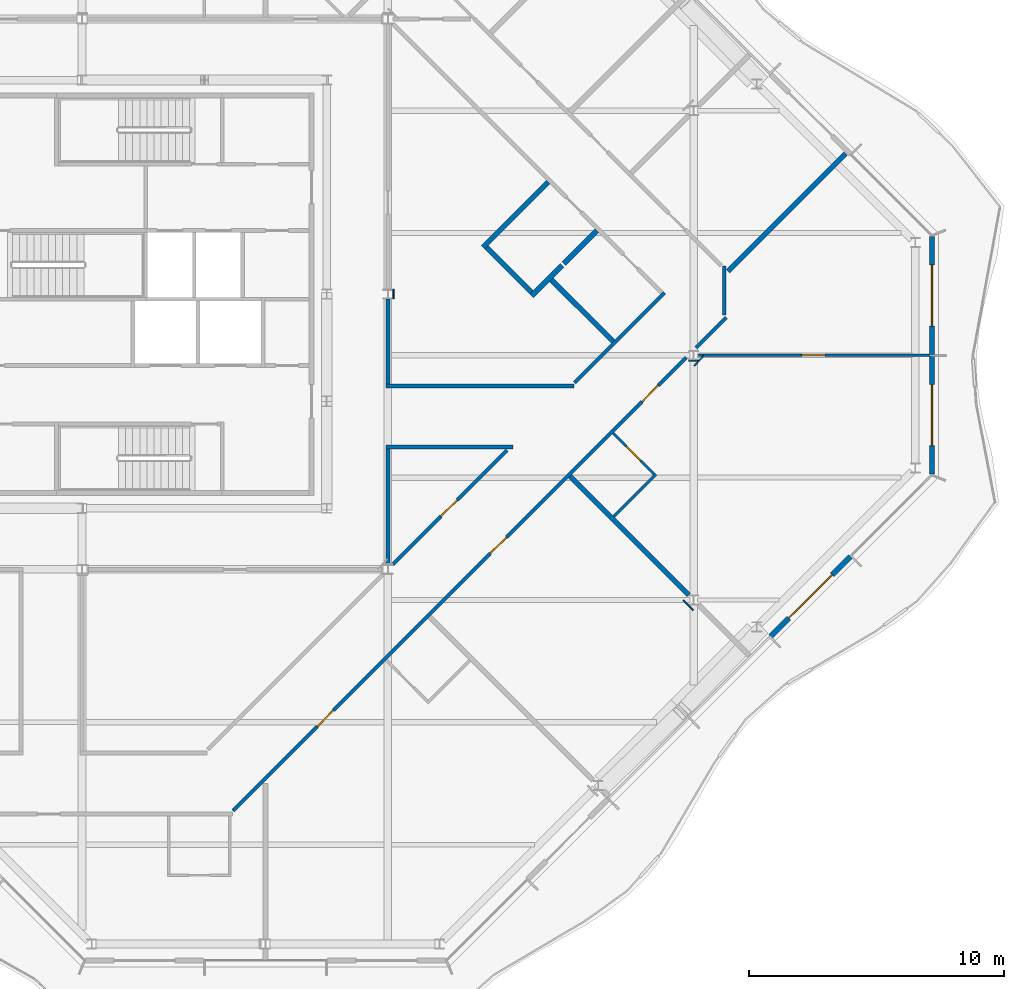
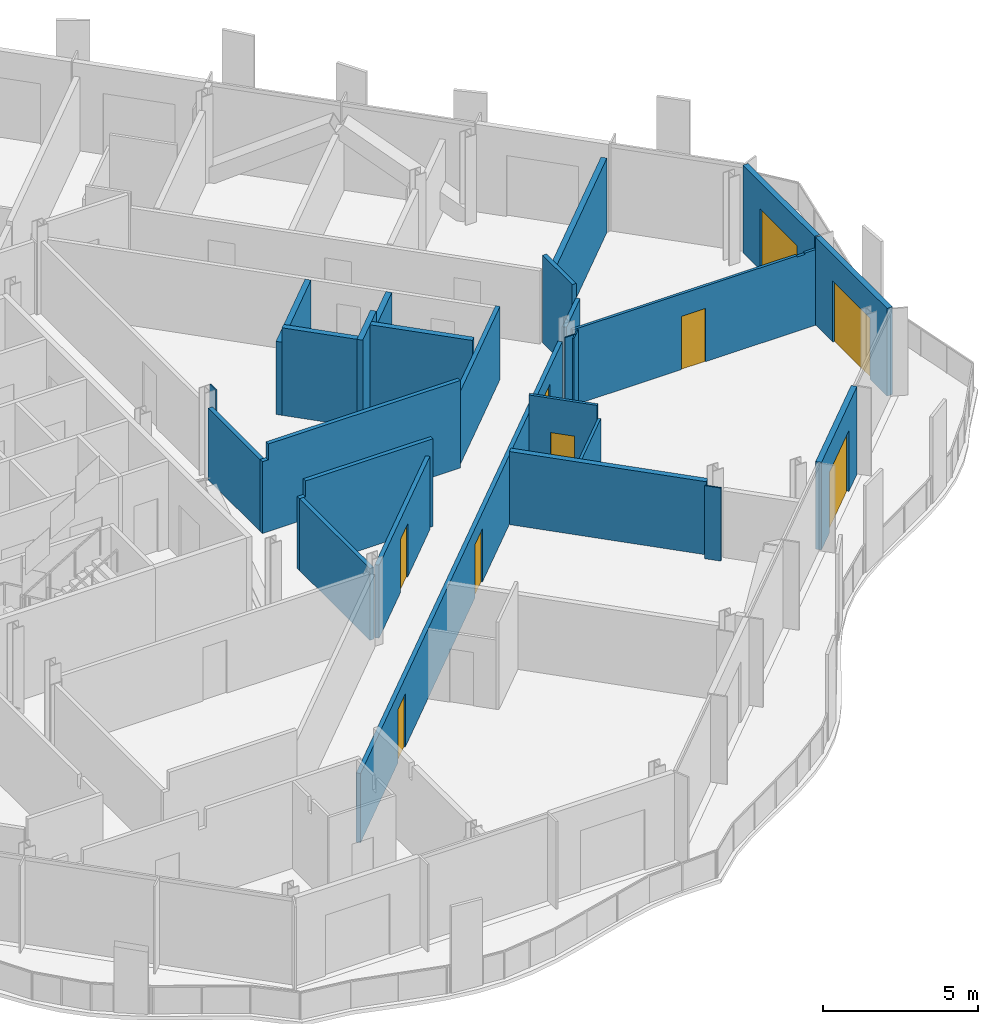
# One storey, part 9 of 16: 26 walls, 9 doors, 9 openings.
"""IFC4 building model written with IfcOpenShell, lengths in metres."""

from ifc_helpers import new_model, si_unit, direction, frame, frame_2d, origin, place, context, subcontext, project, spatial, polyline, rectangle, outline, extrude, material, layer, layer_set, type_object, element, fill, save


model = new_model("IFC4")

# Units and contexts
model_context = context("Model", 3, precision=1e-05, world=origin(), true_north=direction((0.0, 1.0)))
body_context = subcontext(model_context, "Body", "Model", "MODEL_VIEW")
ifc_project = project(units=[si_unit("LENGTHUNIT", "METRE"), si_unit("AREAUNIT", "SQUARE_METRE"), si_unit("VOLUMEUNIT", "CUBIC_METRE"), si_unit("PLANEANGLEUNIT", "RADIAN"), si_unit("MASSUNIT", "GRAM", prefix="KILO")], contexts=[model_context])

# Site, building, storey
site_placement = place(None, origin())
site = spatial("IfcSite", under=ifc_project, at=site_placement, CompositionType="ELEMENT")
building_placement = place(site_placement, origin())
building = spatial("IfcBuilding", under=site, at=building_placement, Name="Cairn Pilgrim Tower", CompositionType="ELEMENT")
storey_placement = place(building_placement, frame((0.0, 0.0, 277.800048828125)))
storey = spatial("IfcBuildingStorey", under=building, at=storey_placement, Name="L71", CompositionType="ELEMENT", Elevation=277.800048828125)

# Wall, opening, door
ifc_material_1 = material(Name="Bronze anodised aluminium insulated sandwich panel with mineral wool fill", Category="aluminium")
ifc_layer_1 = layer(ifc_material_1, 0.199951171875)
ifc_layer_set_1 = layer_set([ifc_layer_1], Name="BRONZE INFILL FRAME WALL 200")
wall_type_1 = type_object("IfcWallType", Name="BRONZE INFILL FRAME WALL 200", PredefinedType="NOTDEFINED", material=ifc_layer_set_1)
wall_1_placement = place(storey_placement, frame((34.219970703125, -11.0263671875, 0.0), z_axis=(0.0, 0.0, 1.0), x_axis=(0.707134329907, 0.707079231393, 0.0)))
wall_1 = element("IfcWall", 1, at=wall_1_placement, inside=storey, type_object=wall_type_1, Name="Bronze infill frame wall IW-SE5", PredefinedType="NOTDEFINED", context=body_context, shape_type="SweptSolid", body=[
    extrude(rectangle(XDim=4.430908203125, YDim=0.199951171875, at=frame_2d((2.21533203125, 0.0))), origin(), (0.0, 0.0, 1.0), 3.449951171875),
])
opening_1_placement = place(wall_1_placement, frame((1.01513671875, 0.0, 0.0)))
opening_1 = element("IfcOpeningElement", 2, at=opening_1_placement, cuts=wall_1, Name="Opening 7103B", PredefinedType="OPENING", context=body_context, shape_type="SweptSolid", body=[
    extrude(rectangle(XDim=2.39990234375, YDim=2.39990234375, at=frame_2d((1.199951171875, 1.199951171875))), frame((0.0, 0.10986328125, 0.0), z_axis=(0.0, -1.0, 0.0), x_axis=(1.0, 0.0, 0.0)), (0.0, 0.0, 1.0), 0.219970703125),
])
ifc_material_2 = material(Name="Bronze anodised aluminium frame with tinted low-E glass", Category="aluminium")
door_type_1 = type_object("IfcDoorType", Name="BALCONY SLIDING DOOR 2400x2400", OperationType="DOUBLE_DOOR_SLIDING", PredefinedType="DOOR", material=ifc_material_2)
door_1_placement = place(opening_1_placement, origin())
door_1 = element("IfcDoor", 3, at=door_1_placement, inside=storey, type_object=door_type_1, Name="Balcony sliding door 7103B", OperationType="SINGLE_SWING_LEFT", OverallHeight=2.39990234375, OverallWidth=2.39990234375, PredefinedType="DOOR", context=body_context, shape_type="SweptSolid", body=[
    extrude(rectangle(XDim=2.39990234375, YDim=2.39990234375, at=frame_2d((1.199951171875, 1.199951171875))), frame((0.0, 0.02490234375, 0.0), z_axis=(0.0, -1.0, 0.0), x_axis=(1.0, 0.0, 0.0)), (0.0, 0.0, 1.0), 0.050048828125),
])
fill(opening_1, door_1)

wall_2_placement = place(storey_placement, frame((40.550048828125, -4.656494140625, 0.0), z_axis=(0.0, 0.0, 1.0), x_axis=(0.0, 1.0, 0.0)))
wall_2 = element("IfcWall", 4, at=wall_2_placement, inside=storey, type_object=wall_type_1, Name="Bronze infill frame wall IW-E1", PredefinedType="NOTDEFINED", context=body_context, shape_type="SweptSolid", body=[
    extrude(rectangle(XDim=4.62646484375, YDim=0.199951171875, at=frame_2d((2.313232421875, 0.0))), origin(), (0.0, 0.0, 1.0), 3.449951171875),
])
opening_2_placement = place(wall_2_placement, frame((1.1083984375, 0.0, 0.0)))
opening_2 = element("IfcOpeningElement", 5, at=opening_2_placement, cuts=wall_2, Name="Opening 7103B2", PredefinedType="OPENING", context=body_context, shape_type="SweptSolid", body=[
    extrude(rectangle(XDim=2.39990234375, YDim=2.39990234375, at=frame_2d((1.199951171875, 1.199951171875))), frame((0.0, 0.10986328125, 0.0), z_axis=(0.0, -1.0, 0.0), x_axis=(1.0, 0.0, 0.0)), (0.0, 0.0, 1.0), 0.219970703125),
])
door_2_placement = place(opening_2_placement, origin())
door_2 = element("IfcDoor", 6, at=door_2_placement, inside=storey, type_object=door_type_1, Name="Balcony sliding door 7103B2", OperationType="SINGLE_SWING_LEFT", OverallHeight=2.39990234375, OverallWidth=2.39990234375, PredefinedType="DOOR", context=body_context, shape_type="SweptSolid", body=[
    extrude(rectangle(XDim=2.39990234375, YDim=2.39990234375, at=frame_2d((1.199951171875, 1.199951171875))), frame((0.0, 0.02490234375, 0.0), z_axis=(0.0, -1.0, 0.0), x_axis=(1.0, 0.0, 0.0)), (0.0, 0.0, 1.0), 0.050048828125),
])
fill(opening_2, door_2)

wall_3_placement = place(storey_placement, frame((40.550048828125, 0.030029296875, 0.0), z_axis=(0.0, 0.0, 1.0), x_axis=(0.0, 1.0, 0.0)))
wall_3 = element("IfcWall", 7, at=wall_3_placement, inside=storey, type_object=wall_type_1, Name="Bronze infill frame wall IW-E2", PredefinedType="NOTDEFINED", context=body_context, shape_type="SweptSolid", body=[
    extrude(rectangle(XDim=4.62646484375, YDim=0.199951171875, at=frame_2d((2.313232421875, 0.0))), origin(), (0.0, 0.0, 1.0), 3.449951171875),
])
opening_3_placement = place(wall_3_placement, frame((1.117919921875, 0.0, 0.0)))
opening_3 = element("IfcOpeningElement", 8, at=opening_3_placement, cuts=wall_3, Name="Opening 7104B", PredefinedType="OPENING", context=body_context, shape_type="SweptSolid", body=[
    extrude(rectangle(XDim=2.39990234375, YDim=2.39990234375, at=frame_2d((1.199951171875, 1.199951171875))), frame((0.0, 0.10986328125, 0.0), z_axis=(0.0, -1.0, 0.0), x_axis=(1.0, 0.0, 0.0)), (0.0, 0.0, 1.0), 0.219970703125),
])
door_3_placement = place(opening_3_placement, origin())
door_3 = element("IfcDoor", 9, at=door_3_placement, inside=storey, type_object=door_type_1, Name="Balcony sliding door 7104B", OperationType="SINGLE_SWING_LEFT", OverallHeight=2.39990234375, OverallWidth=2.39990234375, PredefinedType="DOOR", context=body_context, shape_type="SweptSolid", body=[
    extrude(rectangle(XDim=2.39990234375, YDim=2.39990234375, at=frame_2d((1.199951171875, 1.199951171875))), frame((0.0, 0.02490234375, 0.0), z_axis=(0.0, -1.0, 0.0), x_axis=(1.0, 0.0, 0.0)), (0.0, 0.0, 1.0), 0.050048828125),
])
fill(opening_3, door_3)

# Wall
ifc_material_3 = material(Name="Gypsum partition")
ifc_layer_2 = layer(ifc_material_3, 0.10009765625)
ifc_layer_set_2 = layer_set([ifc_layer_2], Name="PARTITION 100 DRYWALL")
wall_type_2 = type_object("IfcWallType", Name="PARTITION 100 DRYWALL", PredefinedType="PARTITIONING", material=ifc_layer_set_2)
wall_4_placement = place(storey_placement, frame((28.064697265625, -6.3232421875, 0.0), z_axis=(0.0, 0.0, 1.0), x_axis=(0.707106781187, 0.707106781187, 0.0)))
element("IfcWall", 10, at=wall_4_placement, inside=storey, type_object=wall_type_2, Name="PARTITION W027", PredefinedType="PARTITIONING", context=body_context, shape_type="SweptSolid", body=[
    extrude(rectangle(XDim=2.349853515625, YDim=0.10009765625, at=frame_2d((1.1748046875, 0.0))), origin(), (0.0, 0.0, 1.0), 2.8798828125),
])

# Wall, opening, door
wall_5_placement = place(storey_placement, frame((29.655517578125, -4.66162109375, 0.0), z_axis=(0.0, 0.0, 1.0), x_axis=(-0.707053116953, 0.707160441348, 0.0)))
wall_5 = element("IfcWall", 11, at=wall_5_placement, inside=storey, type_object=wall_type_2, Name="PARTITION W028", PredefinedType="PARTITIONING", context=body_context, shape_type="SweptSolid", body=[
    extrude(rectangle(XDim=2.27490234375, YDim=0.10009765625, at=frame_2d((1.137451171875, 0.0))), origin(), (0.0, 0.0, 1.0), 3.449951171875),
])
opening_4_placement = place(wall_5_placement, frame((0.75, 0.0, 0.0)))
opening_4 = element("IfcOpeningElement", 12, at=opening_4_placement, cuts=wall_5, Name="Opening 7103A", PredefinedType="OPENING", context=body_context, shape_type="SweptSolid", body=[
    extrude(rectangle(XDim=0.800048828125, YDim=2.10009765625, at=frame_2d((0.39990234375, 1.050048828125))), frame((0.0, 0.06005859375, 0.0), z_axis=(0.0, -1.0, 0.0), x_axis=(1.0, 0.0, 0.0)), (0.0, 0.0, 1.0), 0.1201171875),
])
ifc_material_4 = material(Name="Timber door leaf", Category="wood")
door_type_2 = type_object("IfcDoorType", Name="WC DOOR 800x2100", OperationType="NOTDEFINED", PredefinedType="DOOR", material=ifc_material_4)
door_4_placement = place(opening_4_placement, frame((0.800048828125, 0.0, 0.0), z_axis=(0.0, 0.0, 1.0), x_axis=(-1.0, 0.0, 0.0)))
door_4 = element("IfcDoor", 13, at=door_4_placement, inside=storey, type_object=door_type_2, Name="DOOR 7103A", OperationType="SINGLE_SWING_LEFT", OverallHeight=2.10009765625, OverallWidth=0.800048828125, PredefinedType="DOOR", context=body_context, shape_type="SweptSolid", body=[
    extrude(rectangle(XDim=0.800048828125, YDim=2.10009765625, at=frame_2d((0.39990234375, 1.050048828125))), frame((0.0, 0.02490234375, 0.0), z_axis=(0.0, -1.0, 0.0), x_axis=(1.0, 0.0, 0.0)), (0.0, 0.0, 1.0), 0.050048828125),
])
fill(opening_4, door_4)

wall_6_placement = place(storey_placement, frame((31.39697265625, 0.0, 0.0), z_axis=(0.0, 0.0, 1.0), x_axis=(1.0, 0.0, 0.0)))
wall_6 = element("IfcWall", 14, at=wall_6_placement, inside=storey, type_object=wall_type_2, Name="PARTITION W033", PredefinedType="PARTITIONING", context=body_context, shape_type="SweptSolid", body=[
    extrude(outline(polyline([(0.0, 0.0), (9.052978515625, 0.0), (9.052978515625, 2.97998046875), (8.653076171875, 2.97998046875), (8.65087890625, 2.929931640625), (8.35302734375, 2.929931640625), (8.35107421875, 2.97998046875), (0.0, 2.97998046875), (0.0, 0.0)])), frame((0.0, 0.050048828125, 0.0), z_axis=(0.0, -1.0, 0.0), x_axis=(1.0, 0.0, 0.0)), (0.0, 0.0, 1.0), 0.10009765625),
])
opening_5_placement = place(wall_6_placement, frame((4.050048828125, 0.0, 0.0)))
opening_5 = element("IfcOpeningElement", 15, at=opening_5_placement, cuts=wall_6, Name="Opening 7104", PredefinedType="OPENING", context=body_context, shape_type="SweptSolid", body=[
    extrude(rectangle(XDim=0.89990234375, YDim=2.10009765625, at=frame_2d((0.449951171875, 1.050048828125))), frame((0.0, 0.06005859375, 0.0), z_axis=(0.0, -1.0, 0.0), x_axis=(1.0, 0.0, 0.0)), (0.0, 0.0, 1.0), 0.1201171875),
])
door_type_3 = type_object("IfcDoorType", Name="SERVICE DOOR 900x2100", OperationType="NOTDEFINED", PredefinedType="DOOR", material=ifc_material_4)
door_5_placement = place(opening_5_placement, origin())
door_5 = element("IfcDoor", 16, at=door_5_placement, inside=storey, type_object=door_type_3, Name="DOOR 7104", OperationType="SINGLE_SWING_RIGHT", OverallHeight=2.10009765625, OverallWidth=0.89990234375, PredefinedType="DOOR", context=body_context, shape_type="SweptSolid", body=[
    extrude(rectangle(XDim=0.89990234375, YDim=2.10009765625, at=frame_2d((0.449951171875, 1.050048828125))), frame((0.0, 0.02490234375, 0.0), z_axis=(0.0, -1.0, 0.0), x_axis=(1.0, 0.0, 0.0)), (0.0, 0.0, 1.0), 0.050048828125),
])
fill(opening_5, door_5)

# Wall, openings, doors
ifc_layer_3 = layer(ifc_material_3, 0.14990234375)
ifc_layer_set_3 = layer_set([ifc_layer_3], Name="PARTITION 150 DRYWALL EI 60")
wall_type_3 = type_object("IfcWallType", Name="PARTITION 150 DRYWALL EI 60", PredefinedType="PARTITIONING", material=ifc_layer_set_3)
wall_7_placement = place(storey_placement, frame((13.1220703125, -17.8720703125, 0.0), z_axis=(0.0, 0.0, 1.0), x_axis=(0.707101927234, 0.707111635106, 0.0)))
wall_7 = element("IfcWall", 17, at=wall_7_placement, inside=storey, type_object=wall_type_3, Name="PARTITION W007", PredefinedType="PARTITIONING", context=body_context, shape_type="SweptSolid", body=[
    extrude(rectangle(XDim=25.148681640625, YDim=0.14990234375, at=frame_2d((12.57421875, 0.0))), origin(), (0.0, 0.0, 1.0), 2.72998046875),
])
opening_6_placement = place(wall_7_placement, frame((4.672119140625, 0.0, 0.0)))
opening_6 = element("IfcOpeningElement", 18, at=opening_6_placement, cuts=wall_7, Name="Opening 7101", PredefinedType="OPENING", context=body_context, shape_type="SweptSolid", body=[
    extrude(rectangle(XDim=0.89990234375, YDim=2.10009765625, at=frame_2d((0.449951171875, 1.050048828125))), frame((0.0, 0.0849609375, 0.0), z_axis=(0.0, -1.0, 0.0), x_axis=(1.0, 0.0, 0.0)), (0.0, 0.0, 1.0), 0.169921875),
])
opening_7_placement = place(wall_7_placement, frame((14.2841796875, 0.0, 0.0)))
opening_7 = element("IfcOpeningElement", 19, at=opening_7_placement, cuts=wall_7, Name="Opening 7102", PredefinedType="OPENING", context=body_context, shape_type="SweptSolid", body=[
    extrude(rectangle(XDim=0.89990234375, YDim=2.10009765625, at=frame_2d((0.449951171875, 1.050048828125))), frame((0.0, 0.0849609375, 0.0), z_axis=(0.0, -1.0, 0.0), x_axis=(1.0, 0.0, 0.0)), (0.0, 0.0, 1.0), 0.169921875),
])
opening_8_placement = place(wall_7_placement, frame((22.703857421875, 0.0, 0.0)))
opening_8 = element("IfcOpeningElement", 20, at=opening_8_placement, cuts=wall_7, Name="Opening 7103", PredefinedType="OPENING", context=body_context, shape_type="SweptSolid", body=[
    extrude(rectangle(XDim=0.89990234375, YDim=2.10009765625, at=frame_2d((0.449951171875, 1.050048828125))), frame((0.0, 0.0849609375, 0.0), z_axis=(0.0, -1.0, 0.0), x_axis=(1.0, 0.0, 0.0)), (0.0, 0.0, 1.0), 0.169921875),
])
door_type_4 = type_object("IfcDoorType", Name="ROOM DOOR 900x2100 FD30S", OperationType="NOTDEFINED", PredefinedType="DOOR", material=ifc_material_4)
door_6_placement = place(opening_6_placement, frame((0.89990234375, 0.0, 0.0), z_axis=(0.0, 0.0, 1.0), x_axis=(-1.0, 0.0, 0.0)))
door_6 = element("IfcDoor", 21, at=door_6_placement, inside=storey, type_object=door_type_4, Name="DOOR 7101", OperationType="SINGLE_SWING_LEFT", OverallHeight=2.10009765625, OverallWidth=0.89990234375, PredefinedType="DOOR", context=body_context, shape_type="SweptSolid", body=[
    extrude(rectangle(XDim=0.89990234375, YDim=2.10009765625, at=frame_2d((0.449951171875, 1.050048828125))), frame((0.0, 0.02490234375, 0.0), z_axis=(0.0, -1.0, 0.0), x_axis=(1.0, 0.0, 0.0)), (0.0, 0.0, 1.0), 0.050048828125),
])
fill(opening_6, door_6)
door_7_placement = place(opening_8_placement, frame((0.89990234375, 0.0, 0.0), z_axis=(0.0, 0.0, 1.0), x_axis=(-1.0, 0.0, 0.0)))
door_7 = element("IfcDoor", 22, at=door_7_placement, inside=storey, type_object=door_type_4, Name="DOOR 7103", OperationType="SINGLE_SWING_LEFT", OverallHeight=2.10009765625, OverallWidth=0.89990234375, PredefinedType="DOOR", context=body_context, shape_type="SweptSolid", body=[
    extrude(rectangle(XDim=0.89990234375, YDim=2.10009765625, at=frame_2d((0.449951171875, 1.050048828125))), frame((0.0, 0.02490234375, 0.0), z_axis=(0.0, -1.0, 0.0), x_axis=(1.0, 0.0, 0.0)), (0.0, 0.0, 1.0), 0.050048828125),
])
fill(opening_8, door_7)
door_type_5 = type_object("IfcDoorType", Name="SERVICE DOOR 900x2100 FD30S", OperationType="NOTDEFINED", PredefinedType="DOOR", material=ifc_material_4)
door_8_placement = place(opening_7_placement, frame((0.89990234375, 0.0, 0.0), z_axis=(0.0, 0.0, 1.0), x_axis=(-1.0, 0.0, 0.0)))
door_8 = element("IfcDoor", 23, at=door_8_placement, inside=storey, type_object=door_type_5, Name="DOOR 7102", OperationType="SINGLE_SWING_LEFT", OverallHeight=2.10009765625, OverallWidth=0.89990234375, PredefinedType="DOOR", context=body_context, shape_type="SweptSolid", body=[
    extrude(rectangle(XDim=0.89990234375, YDim=2.10009765625, at=frame_2d((0.449951171875, 1.050048828125))), frame((0.0, 0.02490234375, 0.0), z_axis=(0.0, -1.0, 0.0), x_axis=(1.0, 0.0, 0.0)), (0.0, 0.0, 1.0), 0.050048828125),
])
fill(opening_7, door_8)

# Wall
wall_8_placement = place(storey_placement, frame((19.199951171875, -8.21240234375, 0.0), z_axis=(0.0, 0.0, 1.0), x_axis=(0.0, 1.0, 0.0)))
element("IfcWall", 24, at=wall_8_placement, inside=storey, type_object=wall_type_3, Name="PARTITION W025", PredefinedType="PARTITIONING", context=body_context, shape_type="SweptSolid", body=[
    extrude(rectangle(XDim=4.537353515625, YDim=0.14990234375, at=frame_2d((2.2685546875, 0.0))), origin(), (0.0, 0.0, 1.0), 2.829833984375),
])

# Wall, opening, door
wall_9_placement = place(storey_placement, frame((19.392333984375, -8.207763671875, 0.0), z_axis=(0.0, 0.0, 1.0), x_axis=(0.707087512134, 0.707126049714, 0.0)))
wall_9 = element("IfcWall", 25, at=wall_9_placement, inside=storey, type_object=wall_type_3, Name="PARTITION W026", PredefinedType="PARTITIONING", context=body_context, shape_type="SweptSolid", body=[
    extrude(rectangle(XDim=6.335205078125, YDim=0.14990234375, at=frame_2d((3.16748046875, 0.0))), origin(), (0.0, 0.0, 1.0), 2.8798828125),
])
opening_9_placement = place(wall_9_placement, frame((2.672119140625, 0.0, 0.0)))
opening_9 = element("IfcOpeningElement", 26, at=opening_9_placement, cuts=wall_9, Name="Opening 7115", PredefinedType="OPENING", context=body_context, shape_type="SweptSolid", body=[
    extrude(rectangle(XDim=0.89990234375, YDim=2.10009765625, at=frame_2d((0.449951171875, 1.050048828125))), frame((0.0, 0.0849609375, 0.0), z_axis=(0.0, -1.0, 0.0), x_axis=(1.0, 0.0, 0.0)), (0.0, 0.0, 1.0), 0.169921875),
])
door_9_placement = place(opening_9_placement, origin())
door_9 = element("IfcDoor", 27, at=door_9_placement, inside=storey, type_object=door_type_5, Name="DOOR 7115", OperationType="SINGLE_SWING_RIGHT", OverallHeight=2.10009765625, OverallWidth=0.89990234375, PredefinedType="DOOR", context=body_context, shape_type="SweptSolid", body=[
    extrude(rectangle(XDim=0.89990234375, YDim=2.10009765625, at=frame_2d((0.449951171875, 1.050048828125))), frame((0.0, 0.02490234375, 0.0), z_axis=(0.0, -1.0, 0.0), x_axis=(1.0, 0.0, 0.0)), (0.0, 0.0, 1.0), 0.050048828125),
])
fill(opening_9, door_9)

# Walls
wall_10_placement = place(storey_placement, frame((19.125, -3.60009765625, 0.0), z_axis=(0.0, 0.0, 1.0), x_axis=(1.0, 0.0, 0.0)))
element("IfcWall", 28, at=wall_10_placement, inside=storey, type_object=wall_type_3, Name="PARTITION W029", PredefinedType="PARTITIONING", context=body_context, shape_type="SweptSolid", body=[
    extrude(outline(polyline([(0.0, 0.0), (4.981201171875, 0.0), (4.981201171875, 3.449951171875), (0.22509765625, 3.449951171875), (0.222900390625, 2.829833984375), (0.0, 2.829833984375), (0.0, 0.0)])), frame((0.0, 0.074951171875, 0.0), z_axis=(0.0, -1.0, 0.0), x_axis=(1.0, 0.0, 0.0)), (0.0, 0.0, 1.0), 0.14990234375),
])
wall_11_placement = place(storey_placement, frame((19.125, -1.199951171875, 0.0), z_axis=(0.0, 0.0, 1.0), x_axis=(1.0, 0.0, 0.0)))
element("IfcWall", 29, at=wall_11_placement, inside=storey, type_object=wall_type_3, Name="PARTITION W030", PredefinedType="PARTITIONING", context=body_context, shape_type="SweptSolid", body=[
    extrude(outline(polyline([(0.0, 0.0), (7.381103515625, 0.0), (7.381103515625, 3.449951171875), (0.22509765625, 3.449951171875), (0.222900390625, 2.829833984375), (0.0, 2.829833984375), (0.0, 0.0)])), frame((0.0, 0.074951171875, 0.0), z_axis=(0.0, -1.0, 0.0), x_axis=(1.0, 0.0, 0.0)), (0.0, 0.0, 1.0), 0.14990234375),
])
wall_12_placement = place(storey_placement, frame((19.199951171875, -1.125, 0.0), z_axis=(0.0, 0.0, 1.0), x_axis=(0.0, 1.0, 0.0)))
element("IfcWall", 30, at=wall_12_placement, inside=storey, type_object=wall_type_3, Name="PARTITION W031", PredefinedType="PARTITIONING", context=body_context, shape_type="SweptSolid", body=[
    extrude(rectangle(XDim=3.33740234375, YDim=0.14990234375, at=frame_2d((1.668701171875, 0.0))), origin(), (0.0, 0.0, 1.0), 2.829833984375),
])
wall_13_placement = place(storey_placement, frame((26.528076171875, -1.072021484375, 0.0), z_axis=(0.0, 0.0, 1.0), x_axis=(0.707106781187, 0.707106781187, 0.0)))
element("IfcWall", 31, at=wall_13_placement, inside=storey, type_object=wall_type_3, Name="PARTITION W032", PredefinedType="PARTITIONING", context=body_context, shape_type="SweptSolid", body=[
    extrude(rectangle(XDim=4.98486328125, YDim=0.14990234375, at=frame_2d((2.492431640625, 0.0))), origin(), (0.0, 0.0, 1.0), 2.8798828125),
])
wall_14_placement = place(storey_placement, frame((31.289306640625, 0.295166015625, 0.0), z_axis=(0.0, 0.0, 1.0), x_axis=(0.707106781187, 0.707106781187, 0.0)))
element("IfcWall", 32, at=wall_14_placement, inside=storey, type_object=wall_type_3, Name="PARTITION W034", PredefinedType="PARTITIONING", context=body_context, shape_type="SweptSolid", body=[
    extrude(rectangle(XDim=1.677001953125, YDim=0.14990234375, at=frame_2d((0.83837890625, 0.0))), origin(), (0.0, 0.0, 1.0), 2.929931640625),
])
wall_15_placement = place(storey_placement, frame((32.39990234375, 1.587158203125, 0.0), z_axis=(0.0, 0.0, 1.0), x_axis=(0.0, 1.0, 0.0)))
element("IfcWall", 33, at=wall_15_placement, inside=storey, type_object=wall_type_3, Name="PARTITION W036", PredefinedType="PARTITIONING", context=body_context, shape_type="SweptSolid", body=[
    extrude(rectangle(XDim=1.912841796875, YDim=0.14990234375, at=frame_2d((0.95654296875, 0.0))), origin(), (0.0, 0.0, 1.0), 3.449951171875),
])
ifc_layer_4 = layer(ifc_material_3, 0.050048828125)
ifc_layer_set_4 = layer_set([ifc_layer_4], Name="PARTITION 50 DRYWALL")
wall_type_4 = type_object("IfcWallType", Name="PARTITION 50 DRYWALL", PredefinedType="PARTITIONING", material=ifc_layer_set_4)
wall_16_placement = place(storey_placement, frame((31.0029296875, -0.21240234375, 0.0), z_axis=(0.0, 0.0, 1.0), x_axis=(1.0, 0.0, 0.0)))
element("IfcWall", 34, at=wall_16_placement, inside=storey, type_object=wall_type_4, Name="COLUMN CASING WC17", PredefinedType="PARTITIONING", context=body_context, shape_type="SweptSolid", body=[
    extrude(rectangle(XDim=0.39404296875, YDim=0.050048828125, at=frame_2d((0.197021484375, 0.0))), origin(), (0.0, 0.0, 1.0), 2.929931640625),
])
ifc_layer_5 = layer(ifc_material_3, 0.050048828125)
ifc_layer_set_5 = layer_set([ifc_layer_5], Name="PARTITION 50 DRYWALL EI 60")
wall_type_5 = type_object("IfcWallType", Name="PARTITION 50 DRYWALL EI 60", PredefinedType="PARTITIONING", material=ifc_layer_set_5)
wall_17_placement = place(storey_placement, frame((31.2177734375, -0.402099609375, 0.0), z_axis=(0.0, 0.0, 1.0), x_axis=(0.707106781187, 0.707106781187, 0.0)))
element("IfcWall", 35, at=wall_17_placement, inside=storey, type_object=wall_type_5, Name="COLUMN CASING WC02", PredefinedType="PARTITIONING", context=body_context, shape_type="SweptSolid", body=[
    extrude(rectangle(XDim=0.543701171875, YDim=0.050048828125, at=frame_2d((0.27197265625, 0.0))), origin(), (0.0, 0.0, 1.0), 2.929931640625),
])
wall_18_placement = place(storey_placement, frame((31.182373046875, -10.002197265625, 0.0), z_axis=(0.0, 0.0, 1.0), x_axis=(-0.707106781187, 0.707106781187, 0.0)))
element("IfcWall", 36, at=wall_18_placement, inside=storey, type_object=wall_type_5, Name="COLUMN CASING WC06", PredefinedType="PARTITIONING", context=body_context, shape_type="SweptSolid", body=[
    extrude(rectangle(XDim=0.543701171875, YDim=0.050048828125, at=frame_2d((0.27197265625, 0.0))), origin(), (0.0, 0.0, 1.0), 2.8798828125),
])
wall_19_placement = place(storey_placement, frame((19.422119140625, 2.21240234375, 0.0), z_axis=(0.0, 0.0, 1.0), x_axis=(0.0, 1.0, 0.0)))
element("IfcWall", 37, at=wall_19_placement, inside=storey, type_object=wall_type_5, Name="COLUMN CASING WC15", PredefinedType="PARTITIONING", context=body_context, shape_type="SweptSolid", body=[
    extrude(rectangle(XDim=0.375, YDim=0.050048828125, at=frame_2d((0.1875, 0.0))), origin(), (0.0, 0.0, 1.0), 3.449951171875),
])
ifc_layer_6 = layer(ifc_material_3, 0.199951171875)
ifc_layer_set_6 = layer_set([ifc_layer_6], Name="SHAFT WALL 200 GYPSUM EI 60")
wall_type_6 = type_object("IfcWallType", Name="SHAFT WALL 200 GYPSUM EI 60", PredefinedType="PARTITIONING", material=ifc_layer_set_6)
wall_20_placement = place(storey_placement, frame((31.0078125, -9.40771484375, 0.0), z_axis=(0.0, 0.0, 1.0), x_axis=(-0.707106781187, 0.707106781187, 0.0)))
element("IfcWall", 38, at=wall_20_placement, inside=storey, type_object=wall_type_6, Name="PARTITION W021", PredefinedType="PARTITIONING", context=body_context, shape_type="SweptSolid", body=[
    extrude(rectangle(XDim=6.5869140625, YDim=0.199951171875, at=frame_2d((3.29345703125, 0.0))), origin(), (0.0, 0.0, 1.0), 2.8798828125),
])
wall_21_placement = place(storey_placement, frame((28.037841796875, 0.5439453125, 0.0), z_axis=(0.0, 0.0, 1.0), x_axis=(-0.707213699878, 0.706999846325, 0.0)))
element("IfcWall", 39, at=wall_21_placement, inside=storey, type_object=wall_type_6, Name="PARTITION W035", PredefinedType="PARTITIONING", context=body_context, shape_type="SweptSolid", body=[
    extrude(rectangle(XDim=3.4248046875, YDim=0.199951171875, at=frame_2d((1.71240234375, 0.0))), origin(), (0.0, 0.0, 1.0), 3.449951171875),
])
wall_22_placement = place(storey_placement, frame((24.83837890625, 2.329345703125, 0.0), z_axis=(0.0, 0.0, 1.0), x_axis=(0.707034938994, 0.70717861608, 0.0)))
element("IfcWall", 40, at=wall_22_placement, inside=storey, type_object=wall_type_6, Name="PARTITION W037", PredefinedType="PARTITIONING", context=body_context, shape_type="SweptSolid", body=[
    extrude(rectangle(XDim=1.69921875, YDim=0.199951171875, at=frame_2d((0.849609375, 0.0))), origin(), (0.0, 0.0, 1.0), 3.449951171875),
])
wall_23_placement = place(storey_placement, frame((24.83837890625, 2.470703125, 0.0), z_axis=(0.0, 0.0, 1.0), x_axis=(-0.707106781187, 0.707106781187, 0.0)))
element("IfcWall", 41, at=wall_23_placement, inside=storey, type_object=wall_type_6, Name="PARTITION W038", PredefinedType="PARTITIONING", context=body_context, shape_type="SweptSolid", body=[
    extrude(rectangle(XDim=2.499755859375, YDim=0.199951171875, at=frame_2d((1.25, 0.0))), origin(), (0.0, 0.0, 1.0), 3.449951171875),
])
wall_24_placement = place(storey_placement, frame((32.545654296875, 3.297607421875, 0.0), z_axis=(0.0, 0.0, 1.0), x_axis=(0.707106781187, 0.707106781187, 0.0)))
element("IfcWall", 42, at=wall_24_placement, inside=storey, type_object=wall_type_6, Name="PARTITION W042", PredefinedType="PARTITIONING", context=body_context, shape_type="SweptSolid", body=[
    extrude(rectangle(XDim=6.51904296875, YDim=0.199951171875, at=frame_2d((3.259521484375, 0.0))), origin(), (0.0, 0.0, 1.0), 2.929931640625),
])
wall_25_placement = place(storey_placement, frame((26.110595703125, 3.601806640625, 0.0), z_axis=(0.0, 0.0, 1.0), x_axis=(0.706906117117, 0.707307388328, 0.0)))
element("IfcWall", 43, at=wall_25_placement, inside=storey, type_object=wall_type_6, Name="PARTITION W044", PredefinedType="PARTITIONING", context=body_context, shape_type="SweptSolid", body=[
    extrude(rectangle(XDim=1.8251953125, YDim=0.199951171875, at=frame_2d((0.91259765625, 0.0))), origin(), (0.0, 0.0, 1.0), 2.8798828125),
])
wall_26_placement = place(storey_placement, frame((22.92919921875, 4.23828125, 0.0), z_axis=(0.0, 0.0, 1.0), x_axis=(0.706972068525, 0.707241468189, 0.0)))
element("IfcWall", 44, at=wall_26_placement, inside=storey, type_object=wall_type_6, Name="PARTITION W045", PredefinedType="PARTITIONING", context=body_context, shape_type="SweptSolid", body=[
    extrude(rectangle(XDim=3.625, YDim=0.199951171875, at=frame_2d((1.8125, 0.0))), origin(), (0.0, 0.0, 1.0), 2.8798828125),
])

save(model, "model.ifc")
